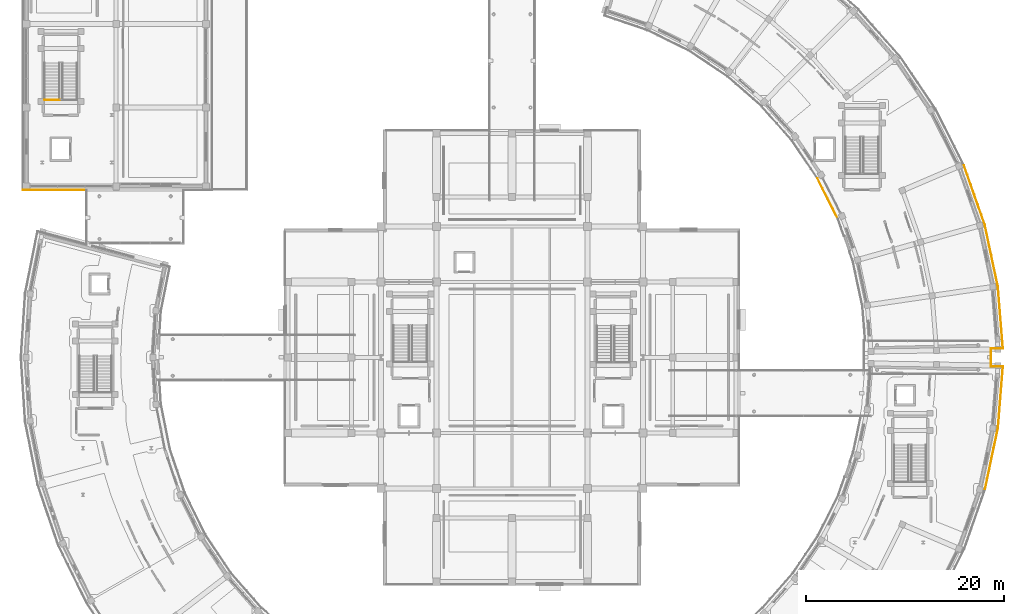
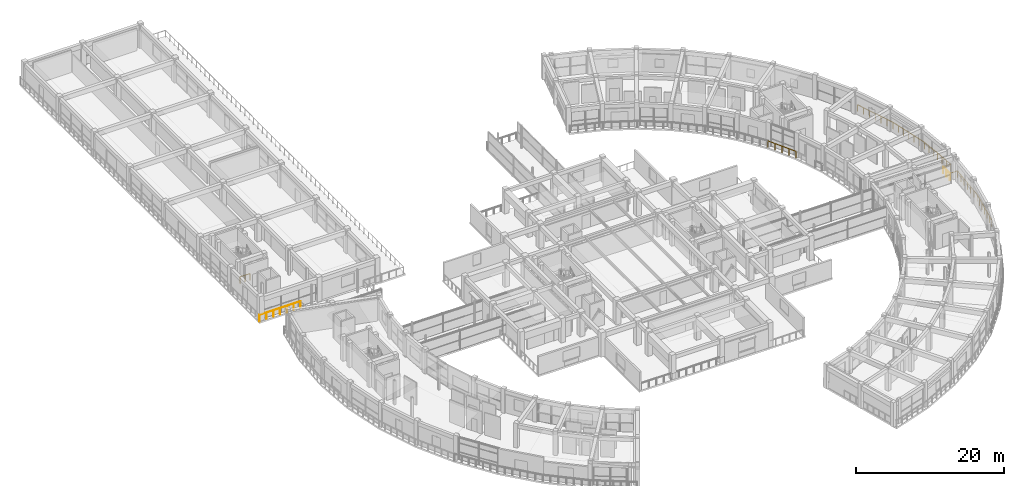
# One storey, part 65 of 70: 11 railings.
"""IFC4 building model written with IfcOpenShell, lengths in metres."""

from ifc_helpers import new_model, si_unit, direction, frame, origin, origin_2d, place, context, subcontext, project, spatial, rectangle, extrude, material, layer, layer_set, type_object, element, save


model = new_model("IFC4")

# Units and contexts
model_context = context("Model", 3, precision=1e-05, world=origin(), true_north=direction((0.0, 1.0)))
body_context = subcontext(model_context, "Body", "Model", "MODEL_VIEW")
ifc_project = project(units=[si_unit("LENGTHUNIT", "METRE"), si_unit("AREAUNIT", "SQUARE_METRE"), si_unit("VOLUMEUNIT", "CUBIC_METRE"), si_unit("PLANEANGLEUNIT", "RADIAN"), si_unit("MASSUNIT", "GRAM", prefix="KILO")], contexts=[model_context])

# Site, building, storey
site_placement = place(None, origin())
site = spatial("IfcSite", under=ifc_project, at=site_placement, CompositionType="ELEMENT")
building_placement = place(site_placement, origin())
building = spatial("IfcBuilding", under=site, at=building_placement, Name="Saryqyr Civic Hall", CompositionType="ELEMENT")
storey_placement = place(building_placement, frame((0.0, 0.0, 13.199951171875)))
storey = spatial("IfcBuildingStorey", under=building, at=storey_placement, Name="L03", CompositionType="ELEMENT", Elevation=13.199951171875)

# Railings
ifc_material = material(Name="Warm brushed brass and laminated glass", Category="glass")
ifc_layer = layer(ifc_material, 0.06005859375, Name="Warm brushed brass and laminated glass")
ifc_layer_set = layer_set([ifc_layer], Name="Warm brushed brass and laminated glass")
railing_type = type_object("IfcRailingType", Name="INT-RLG-BAL-1100", PredefinedType="BALUSTRADE", material=ifc_layer_set)
railing_1_placement = place(storey_placement, frame((14.10009765625, 100.89990234375, 0.0)))
element("IfcRailing", 1, at=railing_1_placement, inside=storey, type_object=railing_type, Name="Interior deck safety balustrade L03-015", PredefinedType="BALUSTRADE", context=body_context, shape_type="SweptSolid", body=[
    extrude(rectangle(XDim=0.048095703125, YDim=0.048095703125, at=origin_2d()), frame((0.0, 0.0, 1.09619140625), z_axis=(-1.0, 0.0, 0.0), x_axis=(0.0, -1.0, 0.0)), (0.0, 0.0, 1.0), 6.400146484375),
    extrude(rectangle(XDim=0.0419921875, YDim=0.0419921875, at=origin_2d()), origin(), (0.0, 0.0, 1.0), 1.072021484375),
    extrude(rectangle(XDim=0.0419921875, YDim=0.0419921875, at=origin_2d()), frame((-1.066650390625, 0.0, 0.0)), (0.0, 0.0, 1.0), 1.072021484375),
    extrude(rectangle(XDim=0.0419921875, YDim=0.0419921875, at=origin_2d()), frame((-2.13330078125, 0.0, 0.0)), (0.0, 0.0, 1.0), 1.072021484375),
    extrude(rectangle(XDim=0.0419921875, YDim=0.0419921875, at=origin_2d()), frame((-3.2001953125, 0.0, 0.0)), (0.0, 0.0, 1.0), 1.072021484375),
    extrude(rectangle(XDim=0.0419921875, YDim=0.0419921875, at=origin_2d()), frame((-4.266845703125, 0.0, 0.0)), (0.0, 0.0, 1.0), 1.072021484375),
    extrude(rectangle(XDim=0.0419921875, YDim=0.0419921875, at=origin_2d()), frame((-5.33349609375, 0.0, 0.0)), (0.0, 0.0, 1.0), 1.072021484375),
    extrude(rectangle(XDim=0.0419921875, YDim=0.0419921875, at=origin_2d()), frame((-6.400146484375, 0.0, 0.0)), (0.0, 0.0, 1.0), 1.072021484375),
])
railing_2_placement = place(storey_placement, frame((89.851806640625, 97.9736328125, 0.0)))
element("IfcRailing", 2, at=railing_2_placement, inside=storey, type_object=railing_type, Name="Interior deck safety balustrade L03-038", PredefinedType="BALUSTRADE", context=body_context, shape_type="SweptSolid", body=[
    extrude(rectangle(XDim=0.048095703125, YDim=0.048095703125, at=origin_2d()), frame((0.0, 0.0, 1.09619140625), z_axis=(-0.449724794806, 0.893167178605, 0.0), x_axis=(-0.893167178605, -0.449724794806, 0.0)), (0.0, 0.0, 1.0), 4.585693359375),
    extrude(rectangle(XDim=0.0419921875, YDim=0.0419921875, at=origin_2d()), origin(), (0.0, 0.0, 1.0), 1.072021484375),
    extrude(rectangle(XDim=0.0419921875, YDim=0.0419921875, at=origin_2d()), frame((-0.515625, 1.02392578125, 0.0)), (0.0, 0.0, 1.0), 1.072021484375),
    extrude(rectangle(XDim=0.0419921875, YDim=0.0419921875, at=origin_2d()), frame((-1.03125, 2.0478515625, 0.0)), (0.0, 0.0, 1.0), 1.072021484375),
    extrude(rectangle(XDim=0.0419921875, YDim=0.0419921875, at=origin_2d()), frame((-1.546630859375, 3.07177734375, 0.0)), (0.0, 0.0, 1.0), 1.072021484375),
    extrude(rectangle(XDim=0.0419921875, YDim=0.0419921875, at=origin_2d()), frame((-2.062255859375, 4.095703125, 0.0)), (0.0, 0.0, 1.0), 1.072021484375),
])
railing_3_placement = place(storey_placement, frame((102.55029296875, 103.375244140625, 0.0)))
element("IfcRailing", 3, at=railing_3_placement, inside=storey, type_object=railing_type, Name="Interior deck safety balustrade L03-054", PredefinedType="BALUSTRADE", context=body_context, shape_type="SweptSolid", body=[
    extrude(rectangle(XDim=0.048095703125, YDim=0.048095703125, at=origin_2d()), frame((0.0, 0.0, 1.09619140625), z_axis=(0.331496156423, -0.943456569364, 0.0), x_axis=(0.943456569364, 0.331496156423, 0.0)), (0.0, 0.0, 1.0), 6.358154296875),
    extrude(rectangle(XDim=0.0419921875, YDim=0.0419921875, at=origin_2d()), origin(), (0.0, 0.0, 1.0), 1.072021484375),
    extrude(rectangle(XDim=0.0419921875, YDim=0.0419921875, at=origin_2d()), frame((0.351318359375, -0.999755859375, 0.0)), (0.0, 0.0, 1.0), 1.072021484375),
    extrude(rectangle(XDim=0.0419921875, YDim=0.0419921875, at=origin_2d()), frame((0.70263671875, -1.99951171875, 0.0)), (0.0, 0.0, 1.0), 1.072021484375),
    extrude(rectangle(XDim=0.0419921875, YDim=0.0419921875, at=origin_2d()), frame((1.0537109375, -2.999267578125, 0.0)), (0.0, 0.0, 1.0), 1.072021484375),
    extrude(rectangle(XDim=0.0419921875, YDim=0.0419921875, at=origin_2d()), frame((1.405029296875, -3.9990234375, 0.0)), (0.0, 0.0, 1.0), 1.072021484375),
    extrude(rectangle(XDim=0.0419921875, YDim=0.0419921875, at=origin_2d()), frame((1.75634765625, -4.998779296875, 0.0)), (0.0, 0.0, 1.0), 1.072021484375),
    extrude(rectangle(XDim=0.0419921875, YDim=0.0419921875, at=origin_2d()), frame((2.107666015625, -5.99853515625, 0.0)), (0.0, 0.0, 1.0), 1.072021484375),
])
railing_4_placement = place(storey_placement, frame((104.657958984375, 97.376708984375, 0.0)))
element("IfcRailing", 4, at=railing_4_placement, inside=storey, type_object=railing_type, Name="Interior deck safety balustrade L03-055", PredefinedType="BALUSTRADE", context=body_context, shape_type="SweptSolid", body=[
    extrude(rectangle(XDim=0.048095703125, YDim=0.048095703125, at=origin_2d()), frame((0.0, 0.0, 1.09619140625), z_axis=(0.207858296561, -0.97815894851, 0.0), x_axis=(0.97815894851, 0.207858296561, 0.0)), (0.0, 0.0, 1.0), 6.35791015625),
    extrude(rectangle(XDim=0.0419921875, YDim=0.0419921875, at=origin_2d()), origin(), (0.0, 0.0, 1.0), 1.072021484375),
    extrude(rectangle(XDim=0.0419921875, YDim=0.0419921875, at=origin_2d()), frame((0.22021484375, -1.03662109375, 0.0)), (0.0, 0.0, 1.0), 1.072021484375),
    extrude(rectangle(XDim=0.0419921875, YDim=0.0419921875, at=origin_2d()), frame((0.4404296875, -2.072998046875, 0.0)), (0.0, 0.0, 1.0), 1.072021484375),
    extrude(rectangle(XDim=0.0419921875, YDim=0.0419921875, at=origin_2d()), frame((0.66064453125, -3.109375, 0.0)), (0.0, 0.0, 1.0), 1.072021484375),
    extrude(rectangle(XDim=0.0419921875, YDim=0.0419921875, at=origin_2d()), frame((0.881103515625, -4.14599609375, 0.0)), (0.0, 0.0, 1.0), 1.072021484375),
    extrude(rectangle(XDim=0.0419921875, YDim=0.0419921875, at=origin_2d()), frame((1.101318359375, -5.1826171875, 0.0)), (0.0, 0.0, 1.0), 1.072021484375),
    extrude(rectangle(XDim=0.0419921875, YDim=0.0419921875, at=origin_2d()), frame((1.321533203125, -6.218994140625, 0.0)), (0.0, 0.0, 1.0), 1.072021484375),
])
railing_5_placement = place(storey_placement, frame((105.9794921875, 91.15771484375, 0.0)))
element("IfcRailing", 5, at=railing_5_placement, inside=storey, type_object=railing_type, Name="Interior deck safety balustrade L03-056", PredefinedType="BALUSTRADE", context=body_context, shape_type="SweptSolid", body=[
    extrude(rectangle(XDim=0.048095703125, YDim=0.048095703125, at=origin_2d()), frame((0.0, 0.0, 1.09619140625), z_axis=(0.080762441528, -0.996733378612, 0.0), x_axis=(0.996733378612, 0.080762441528, 0.0)), (0.0, 0.0, 1.0), 6.257568359375),
    extrude(rectangle(XDim=0.0419921875, YDim=0.0419921875, at=origin_2d()), origin(), (0.0, 0.0, 1.0), 1.072021484375),
    extrude(rectangle(XDim=0.0419921875, YDim=0.0419921875, at=origin_2d()), frame((0.084228515625, -1.03955078125, 0.0)), (0.0, 0.0, 1.0), 1.072021484375),
    extrude(rectangle(XDim=0.0419921875, YDim=0.0419921875, at=origin_2d()), frame((0.16845703125, -2.0791015625, 0.0)), (0.0, 0.0, 1.0), 1.072021484375),
    extrude(rectangle(XDim=0.0419921875, YDim=0.0419921875, at=origin_2d()), frame((0.252685546875, -3.11865234375, 0.0)), (0.0, 0.0, 1.0), 1.072021484375),
    extrude(rectangle(XDim=0.0419921875, YDim=0.0419921875, at=origin_2d()), frame((0.3369140625, -4.157958984375, 0.0)), (0.0, 0.0, 1.0), 1.072021484375),
    extrude(rectangle(XDim=0.0419921875, YDim=0.0419921875, at=origin_2d()), frame((0.421142578125, -5.197509765625, 0.0)), (0.0, 0.0, 1.0), 1.072021484375),
    extrude(rectangle(XDim=0.0419921875, YDim=0.0419921875, at=origin_2d()), frame((0.50537109375, -6.237060546875, 0.0)), (0.0, 0.0, 1.0), 1.072021484375),
])
railing_6_placement = place(storey_placement, frame((106.48486328125, 84.920654296875, 0.0)))
element("IfcRailing", 6, at=railing_6_placement, inside=storey, type_object=railing_type, Name="Interior deck safety balustrade L03-057", PredefinedType="BALUSTRADE", context=body_context, shape_type="SweptSolid", body=[
    extrude(rectangle(XDim=0.048095703125, YDim=0.048095703125, at=origin_2d()), frame((0.0, 0.0, 1.09619140625), z_axis=(-0.999860739249, -0.016688382419, 0.0), x_axis=(0.016688382419, -0.999860739249, 0.0)), (0.0, 0.0, 1.0), 1.18505859375),
    extrude(rectangle(XDim=0.0419921875, YDim=0.0419921875, at=origin_2d()), origin(), (0.0, 0.0, 1.0), 1.072021484375),
    extrude(rectangle(XDim=0.0419921875, YDim=0.0419921875, at=origin_2d()), frame((-1.184814453125, -0.019775390625, 0.0)), (0.0, 0.0, 1.0), 1.072021484375),
])
railing_7_placement = place(storey_placement, frame((105.300048828125, 84.90087890625, 0.0)))
element("IfcRailing", 7, at=railing_7_placement, inside=storey, type_object=railing_type, Name="Interior deck safety balustrade L03-058", PredefinedType="BALUSTRADE", context=body_context, shape_type="SweptSolid", body=[
    extrude(rectangle(XDim=0.048095703125, YDim=0.048095703125, at=origin_2d()), frame((0.0, 0.0, 1.09619140625), z_axis=(0.0, -1.0, 0.0), x_axis=(1.0, 0.0, 0.0)), (0.0, 0.0, 1.0), 1.8017578125),
    extrude(rectangle(XDim=0.0419921875, YDim=0.0419921875, at=origin_2d()), origin(), (0.0, 0.0, 1.0), 1.072021484375),
    extrude(rectangle(XDim=0.0419921875, YDim=0.0419921875, at=origin_2d()), frame((0.0, -0.90087890625, 0.0)), (0.0, 0.0, 1.0), 1.072021484375),
    extrude(rectangle(XDim=0.0419921875, YDim=0.0419921875, at=origin_2d()), frame((0.0, -1.8017578125, 0.0)), (0.0, 0.0, 1.0), 1.072021484375),
])
railing_8_placement = place(storey_placement, frame((105.300048828125, 83.09912109375, 0.0)))
element("IfcRailing", 8, at=railing_8_placement, inside=storey, type_object=railing_type, Name="Interior deck safety balustrade L03-059", PredefinedType="BALUSTRADE", context=body_context, shape_type="SweptSolid", body=[
    extrude(rectangle(XDim=0.048095703125, YDim=0.048095703125, at=origin_2d()), frame((0.0, 0.0, 1.09619140625), z_axis=(0.999860796611, -0.016684945308, 0.0), x_axis=(0.016684945308, 0.999860796611, 0.0)), (0.0, 0.0, 1.0), 1.185302734375),
    extrude(rectangle(XDim=0.0419921875, YDim=0.0419921875, at=origin_2d()), origin(), (0.0, 0.0, 1.0), 1.072021484375),
    extrude(rectangle(XDim=0.0419921875, YDim=0.0419921875, at=origin_2d()), frame((1.18505859375, -0.019775390625, 0.0)), (0.0, 0.0, 1.0), 1.072021484375),
])
railing_9_placement = place(storey_placement, frame((106.485107421875, 83.079345703125, 0.0)))
element("IfcRailing", 9, at=railing_9_placement, inside=storey, type_object=railing_type, Name="Interior deck safety balustrade L03-060", PredefinedType="BALUSTRADE", context=body_context, shape_type="SweptSolid", body=[
    extrude(rectangle(XDim=0.048095703125, YDim=0.048095703125, at=origin_2d()), frame((0.0, 0.0, 1.09619140625), z_axis=(-0.080309228411, -0.996769997458, 0.0), x_axis=(0.996769997458, -0.080309228411, 0.0)), (0.0, 0.0, 1.0), 6.210693359375),
    extrude(rectangle(XDim=0.0419921875, YDim=0.0419921875, at=origin_2d()), origin(), (0.0, 0.0, 1.0), 1.072021484375),
    extrude(rectangle(XDim=0.0419921875, YDim=0.0419921875, at=origin_2d()), frame((-0.0830078125, -1.03173828125, 0.0)), (0.0, 0.0, 1.0), 1.072021484375),
    extrude(rectangle(XDim=0.0419921875, YDim=0.0419921875, at=origin_2d()), frame((-0.166259765625, -2.0634765625, 0.0)), (0.0, 0.0, 1.0), 1.072021484375),
    extrude(rectangle(XDim=0.0419921875, YDim=0.0419921875, at=origin_2d()), frame((-0.24951171875, -3.09521484375, 0.0)), (0.0, 0.0, 1.0), 1.072021484375),
    extrude(rectangle(XDim=0.0419921875, YDim=0.0419921875, at=origin_2d()), frame((-0.33251953125, -4.127197265625, 0.0)), (0.0, 0.0, 1.0), 1.072021484375),
    extrude(rectangle(XDim=0.0419921875, YDim=0.0419921875, at=origin_2d()), frame((-0.41552734375, -5.158935546875, 0.0)), (0.0, 0.0, 1.0), 1.072021484375),
    extrude(rectangle(XDim=0.0419921875, YDim=0.0419921875, at=origin_2d()), frame((-0.498779296875, -6.190673828125, 0.0)), (0.0, 0.0, 1.0), 1.072021484375),
])
railing_10_placement = place(storey_placement, frame((105.986328125, 76.888671875, 0.0)))
element("IfcRailing", 10, at=railing_10_placement, inside=storey, type_object=railing_type, Name="Interior deck safety balustrade L03-061", PredefinedType="BALUSTRADE", context=body_context, shape_type="SweptSolid", body=[
    extrude(rectangle(XDim=0.048095703125, YDim=0.048095703125, at=origin_2d()), frame((0.0, 0.0, 1.09619140625), z_axis=(-0.206453009757, -0.978456516541, 0.0), x_axis=(0.978456516541, -0.206453009757, 0.0)), (0.0, 0.0, 1.0), 6.311279296875),
    extrude(rectangle(XDim=0.0419921875, YDim=0.0419921875, at=origin_2d()), origin(), (0.0, 0.0, 1.0), 1.072021484375),
    extrude(rectangle(XDim=0.0419921875, YDim=0.0419921875, at=origin_2d()), frame((-0.21728515625, -1.029296875, 0.0)), (0.0, 0.0, 1.0), 1.072021484375),
    extrude(rectangle(XDim=0.0419921875, YDim=0.0419921875, at=origin_2d()), frame((-0.434326171875, -2.058349609375, 0.0)), (0.0, 0.0, 1.0), 1.072021484375),
    extrude(rectangle(XDim=0.0419921875, YDim=0.0419921875, at=origin_2d()), frame((-0.6513671875, -3.087646484375, 0.0)), (0.0, 0.0, 1.0), 1.072021484375),
    extrude(rectangle(XDim=0.0419921875, YDim=0.0419921875, at=origin_2d()), frame((-0.86865234375, -4.116943359375, 0.0)), (0.0, 0.0, 1.0), 1.072021484375),
    extrude(rectangle(XDim=0.0419921875, YDim=0.0419921875, at=origin_2d()), frame((-1.0859375, -5.14599609375, 0.0)), (0.0, 0.0, 1.0), 1.072021484375),
    extrude(rectangle(XDim=0.0419921875, YDim=0.0419921875, at=origin_2d()), frame((-1.302978515625, -6.17529296875, 0.0)), (0.0, 0.0, 1.0), 1.072021484375),
])
railing_11_placement = place(storey_placement, frame((9.885009765625, 109.97998046875, 0.0)))
element("IfcRailing", 11, at=railing_11_placement, inside=storey, type_object=railing_type, Name="Interior deck safety balustrade L03-104", PredefinedType="BALUSTRADE", context=body_context, shape_type="SweptSolid", body=[
    extrude(rectangle(XDim=0.048095703125, YDim=0.048095703125, at=origin_2d()), frame((0.0, 0.0, 1.09619140625), z_axis=(1.0, 0.0, 0.0), x_axis=(0.0, 1.0, 0.0)), (0.0, 0.0, 1.0), 1.534912109375),
    extrude(rectangle(XDim=0.0419921875, YDim=0.0419921875, at=origin_2d()), origin(), (0.0, 0.0, 1.0), 1.072021484375),
    extrude(rectangle(XDim=0.0419921875, YDim=0.0419921875, at=origin_2d()), frame((0.767578125, 0.0, 0.0)), (0.0, 0.0, 1.0), 1.072021484375),
    extrude(rectangle(XDim=0.0419921875, YDim=0.0419921875, at=origin_2d()), frame((1.534912109375, 0.0, 0.0)), (0.0, 0.0, 1.0), 1.072021484375),
])

save(model, "model.ifc")
